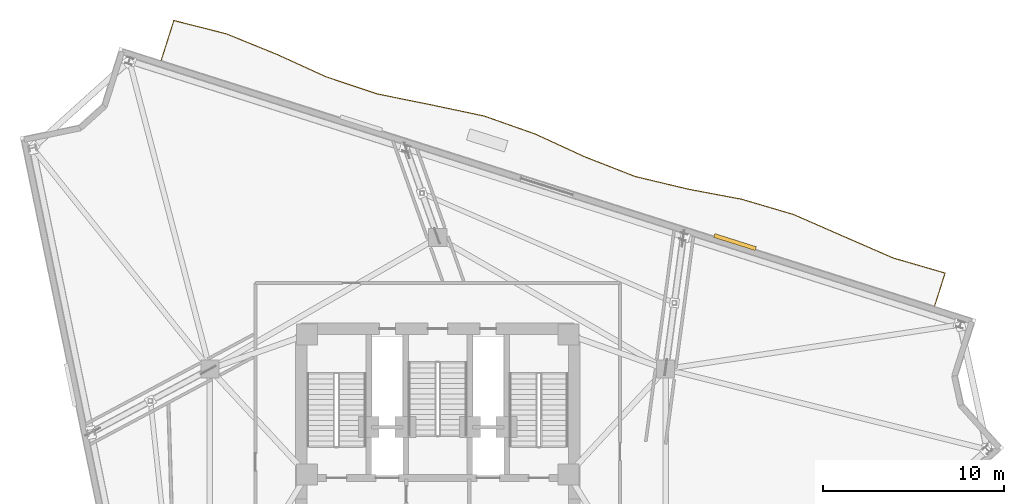
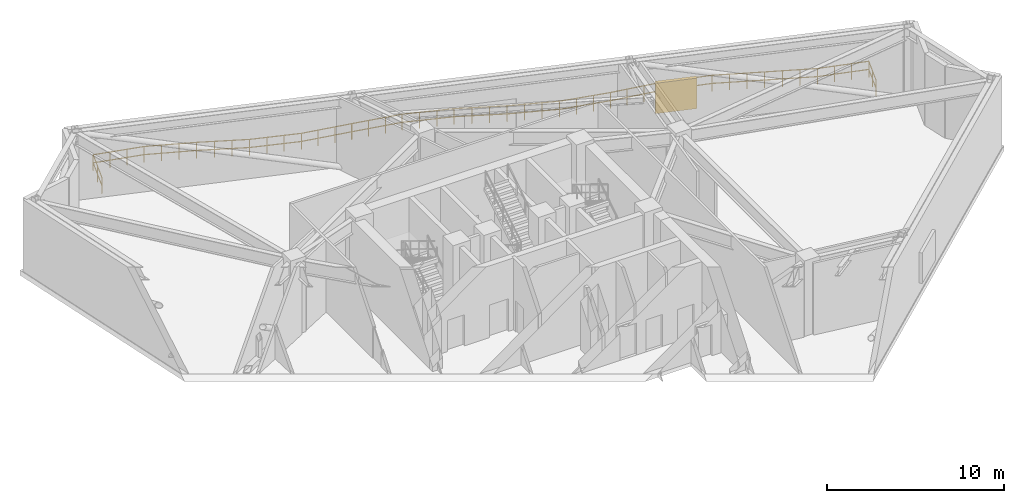
# One storey, part 16 of 16: 1 railing, 1 shading device.
"""IFC4 building model written with IfcOpenShell, lengths in metres."""

from ifc_helpers import new_model, si_unit, direction, frame, origin, origin_2d, place, context, subcontext, project, spatial, rectangle, extrude, material, type_object, element, save


model = new_model("IFC4")

# Units and contexts
model_context = context("Model", 3, precision=1e-05, world=origin(), true_north=direction((0.0, 1.0)))
body_context = subcontext(model_context, "Body", "Model", "MODEL_VIEW")
ifc_project = project(units=[si_unit("LENGTHUNIT", "METRE"), si_unit("AREAUNIT", "SQUARE_METRE"), si_unit("VOLUMEUNIT", "CUBIC_METRE"), si_unit("PLANEANGLEUNIT", "RADIAN"), si_unit("MASSUNIT", "GRAM", prefix="KILO")], contexts=[model_context])

# Site, building, storey
site_placement = place(None, origin())
site = spatial("IfcSite", under=ifc_project, at=site_placement, CompositionType="ELEMENT")
building_placement = place(site_placement, origin())
building = spatial("IfcBuilding", under=site, at=building_placement, Name="Apsidion Concourse Tower", CompositionType="ELEMENT")
storey_placement = place(building_placement, frame((0.0, 0.0, 227.0)))
storey = spatial("IfcBuildingStorey", under=building, at=storey_placement, Name="L53", CompositionType="ELEMENT", Elevation=227.0)

# Railing
ifc_material_1 = material(Name="Brushed stainless steel 316", Category="steel")
railing_type = type_object("IfcRailingType", Name="RL-BAL-1120", PredefinedType="BALUSTRADE", material=ifc_material_1)
railing_placement = place(storey_placement, frame((-15.25, 24.272216796875, 0.0)))
element("IfcRailing", 1, at=railing_placement, inside=storey, type_object=railing_type, Name="L53 Face 3 Spiral Terrace Balustrade", PredefinedType="BALUSTRADE", context=body_context, shape_type="SweptSolid", body=[
    extrude(rectangle(XDim=0.048095703125, YDim=0.048095703125, at=origin_2d()), frame((0.0, 0.0, 1.09619140625), z_axis=(0.302719350295, 0.953079742182, 0.0), x_axis=(-0.953079742182, 0.302719350295, 0.0)), (0.0, 0.0, 1.0), 2.309814453125),
    extrude(rectangle(XDim=0.048095703125, YDim=0.048095703125, at=origin_2d()), frame((0.0, 0.0, 0.5361328125), z_axis=(0.302719350295, 0.953079742182, 0.0), x_axis=(-0.953079742182, 0.302719350295, 0.0)), (0.0, 0.0, 1.0), 2.309814453125),
    extrude(rectangle(XDim=0.048095703125, YDim=0.048095703125, at=origin_2d()), frame((0.69921875, 2.201416015625, 1.09619140625), z_axis=(0.969315172586, -0.2458212688, 0.0), x_axis=(0.2458212688, 0.969315172586, 0.0)), (0.0, 0.0, 1.0), 2.988525390625),
    extrude(rectangle(XDim=0.048095703125, YDim=0.048095703125, at=origin_2d()), frame((0.69921875, 2.201416015625, 0.5361328125), z_axis=(0.969315172586, -0.2458212688, 0.0), x_axis=(0.2458212688, 0.969315172586, 0.0)), (0.0, 0.0, 1.0), 2.988525390625),
    extrude(rectangle(XDim=0.048095703125, YDim=0.048095703125, at=origin_2d()), frame((3.595947265625, 1.466796875, 1.09619140625), z_axis=(0.926397211492, -0.376547748021, 0.0), x_axis=(0.376547748021, 0.926397211492, 0.0)), (0.0, 0.0, 1.0), 2.9921875),
    extrude(rectangle(XDim=0.048095703125, YDim=0.048095703125, at=origin_2d()), frame((3.595947265625, 1.466796875, 0.5361328125), z_axis=(0.926397211492, -0.376547748021, 0.0), x_axis=(0.376547748021, 0.926397211492, 0.0)), (0.0, 0.0, 1.0), 2.9921875),
    extrude(rectangle(XDim=0.048095703125, YDim=0.048095703125, at=origin_2d()), frame((6.367919921875, 0.340087890625, 1.09619140625), z_axis=(0.910087991276, -0.414415067456, 0.0), x_axis=(0.414415067456, 0.910087991276, 0.0)), (0.0, 0.0, 1.0), 3.004638671875),
    extrude(rectangle(XDim=0.048095703125, YDim=0.048095703125, at=origin_2d()), frame((6.367919921875, 0.340087890625, 0.5361328125), z_axis=(0.910087991276, -0.414415067456, 0.0), x_axis=(0.414415067456, 0.910087991276, 0.0)), (0.0, 0.0, 1.0), 3.004638671875),
    extrude(rectangle(XDim=0.048095703125, YDim=0.048095703125, at=origin_2d()), frame((9.102294921875, -0.905029296875, 1.09619140625), z_axis=(0.948445714895, -0.316939625003, 0.0), x_axis=(0.316939625003, 0.948445714895, 0.0)), (0.0, 0.0, 1.0), 2.9833984375),
    extrude(rectangle(XDim=0.048095703125, YDim=0.048095703125, at=origin_2d()), frame((9.102294921875, -0.905029296875, 0.5361328125), z_axis=(0.948445714895, -0.316939625003, 0.0), x_axis=(0.316939625003, 0.948445714895, 0.0)), (0.0, 0.0, 1.0), 2.9833984375),
    extrude(rectangle(XDim=0.048095703125, YDim=0.048095703125, at=origin_2d()), frame((11.931884765625, -1.8505859375, 1.09619140625), z_axis=(0.980225449043, -0.197883978756, 0.0), x_axis=(0.197883978756, 0.980225449043, 0.0)), (0.0, 0.0, 1.0), 3.00048828125),
    extrude(rectangle(XDim=0.048095703125, YDim=0.048095703125, at=origin_2d()), frame((11.931884765625, -1.8505859375, 0.5361328125), z_axis=(0.980225449043, -0.197883978756, 0.0), x_axis=(0.197883978756, 0.980225449043, 0.0)), (0.0, 0.0, 1.0), 3.00048828125),
    extrude(rectangle(XDim=0.048095703125, YDim=0.048095703125, at=origin_2d()), frame((14.873046875, -2.4443359375, 1.09619140625), z_axis=(0.97838615752, -0.206786186127, 0.0), x_axis=(0.206786186127, 0.97838615752, 0.0)), (0.0, 0.0, 1.0), 2.99755859375),
    extrude(rectangle(XDim=0.048095703125, YDim=0.048095703125, at=origin_2d()), frame((14.873046875, -2.4443359375, 0.5361328125), z_axis=(0.97838615752, -0.206786186127, 0.0), x_axis=(0.206786186127, 0.97838615752, 0.0)), (0.0, 0.0, 1.0), 2.99755859375),
    extrude(rectangle(XDim=0.048095703125, YDim=0.048095703125, at=origin_2d()), frame((17.805908203125, -3.064208984375, 1.09619140625), z_axis=(0.943120141613, -0.332452099533, 0.0), x_axis=(0.332452099533, 0.943120141613, 0.0)), (0.0, 0.0, 1.0), 2.984375),
    extrude(rectangle(XDim=0.048095703125, YDim=0.048095703125, at=origin_2d()), frame((17.805908203125, -3.064208984375, 0.5361328125), z_axis=(0.943120141613, -0.332452099533, 0.0), x_axis=(0.332452099533, 0.943120141613, 0.0)), (0.0, 0.0, 1.0), 2.984375),
    extrude(rectangle(XDim=0.048095703125, YDim=0.048095703125, at=origin_2d()), frame((20.62060546875, -4.056396484375, 1.09619140625), z_axis=(0.908614375284, -0.41763610599, 0.0), x_axis=(0.41763610599, 0.908614375284, 0.0)), (0.0, 0.0, 1.0), 3.005859375),
    extrude(rectangle(XDim=0.048095703125, YDim=0.048095703125, at=origin_2d()), frame((20.62060546875, -4.056396484375, 0.5361328125), z_axis=(0.908614375284, -0.41763610599, 0.0), x_axis=(0.41763610599, 0.908614375284, 0.0)), (0.0, 0.0, 1.0), 3.005859375),
    extrude(rectangle(XDim=0.048095703125, YDim=0.048095703125, at=origin_2d()), frame((23.351806640625, -5.311767578125, 1.09619140625), z_axis=(0.931431831118, -0.363915847388, 0.0), x_axis=(0.363915847388, 0.931431831118, 0.0)), (0.0, 0.0, 1.0), 2.989501953125),
    extrude(rectangle(XDim=0.048095703125, YDim=0.048095703125, at=origin_2d()), frame((23.351806640625, -5.311767578125, 0.5361328125), z_axis=(0.931431831118, -0.363915847388, 0.0), x_axis=(0.363915847388, 0.931431831118, 0.0)), (0.0, 0.0, 1.0), 2.989501953125),
    extrude(rectangle(XDim=0.048095703125, YDim=0.048095703125, at=origin_2d()), frame((26.13623046875, -6.399658203125, 1.09619140625), z_axis=(0.972679949863, -0.232150199514, 0.0), x_axis=(0.232150199514, 0.972679949863, 0.0)), (0.0, 0.0, 1.0), 2.990966796875),
    extrude(rectangle(XDim=0.048095703125, YDim=0.048095703125, at=origin_2d()), frame((26.13623046875, -6.399658203125, 0.5361328125), z_axis=(0.972679949863, -0.232150199514, 0.0), x_axis=(0.232150199514, 0.972679949863, 0.0)), (0.0, 0.0, 1.0), 2.990966796875),
    extrude(rectangle(XDim=0.048095703125, YDim=0.048095703125, at=origin_2d()), frame((29.04541015625, -7.093994140625, 1.09619140625), z_axis=(0.982742268554, -0.184980089733, 0.0), x_axis=(0.184980089733, 0.982742268554, 0.0)), (0.0, 0.0, 1.0), 3.005126953125),
    extrude(rectangle(XDim=0.048095703125, YDim=0.048095703125, at=origin_2d()), frame((29.04541015625, -7.093994140625, 0.5361328125), z_axis=(0.982742268554, -0.184980089733, 0.0), x_axis=(0.184980089733, 0.982742268554, 0.0)), (0.0, 0.0, 1.0), 3.005126953125),
    extrude(rectangle(XDim=0.048095703125, YDim=0.048095703125, at=origin_2d()), frame((31.998779296875, -7.64990234375, 1.09619140625), z_axis=(0.959377227, -0.282126454473, 0.0), x_axis=(0.282126454473, 0.959377227, 0.0)), (0.0, 0.0, 1.0), 2.983642578125),
    extrude(rectangle(XDim=0.048095703125, YDim=0.048095703125, at=origin_2d()), frame((31.998779296875, -7.64990234375, 0.5361328125), z_axis=(0.959377227, -0.282126454473, 0.0), x_axis=(0.282126454473, 0.959377227, 0.0)), (0.0, 0.0, 1.0), 2.983642578125),
    extrude(rectangle(XDim=0.048095703125, YDim=0.048095703125, at=origin_2d()), frame((34.861328125, -8.49169921875, 1.09619140625), z_axis=(0.916142390258, -0.400852991473, 0.0), x_axis=(0.400852991473, 0.916142390258, 0.0)), (0.0, 0.0, 1.0), 2.99951171875),
    extrude(rectangle(XDim=0.048095703125, YDim=0.048095703125, at=origin_2d()), frame((34.861328125, -8.49169921875, 0.5361328125), z_axis=(0.916142390258, -0.400852991473, 0.0), x_axis=(0.400852991473, 0.916142390258, 0.0)), (0.0, 0.0, 1.0), 2.99951171875),
    extrude(rectangle(XDim=0.048095703125, YDim=0.048095703125, at=origin_2d()), frame((37.609375, -9.694091796875, 1.09619140625), z_axis=(0.916877093839, -0.399169631601, 0.0), x_axis=(0.399169631601, 0.916877093839, 0.0)), (0.0, 0.0, 1.0), 2.998779296875),
    extrude(rectangle(XDim=0.048095703125, YDim=0.048095703125, at=origin_2d()), frame((37.609375, -9.694091796875, 0.5361328125), z_axis=(0.916877093839, -0.399169631601, 0.0), x_axis=(0.399169631601, 0.916877093839, 0.0)), (0.0, 0.0, 1.0), 2.998779296875),
    extrude(rectangle(XDim=0.048095703125, YDim=0.048095703125, at=origin_2d()), frame((40.35888671875, -10.89111328125, 1.09619140625), z_axis=(0.960298162237, -0.278975697157, 0.0), x_axis=(0.278975697157, 0.960298162237, 0.0)), (0.0, 0.0, 1.0), 2.984130859375),
    extrude(rectangle(XDim=0.048095703125, YDim=0.048095703125, at=origin_2d()), frame((40.35888671875, -10.89111328125, 0.5361328125), z_axis=(0.960298162237, -0.278975697157, 0.0), x_axis=(0.278975697157, 0.960298162237, 0.0)), (0.0, 0.0, 1.0), 2.984130859375),
    extrude(rectangle(XDim=0.048095703125, YDim=0.048095703125, at=origin_2d()), frame((43.224609375, -11.7236328125, 1.09619140625), z_axis=(-0.302781769036, -0.953059914349, 0.0), x_axis=(0.953059914349, -0.302781769036, 0.0)), (0.0, 0.0, 1.0), 1.910888671875),
    extrude(rectangle(XDim=0.048095703125, YDim=0.048095703125, at=origin_2d()), frame((43.224609375, -11.7236328125, 0.5361328125), z_axis=(-0.302781769036, -0.953059914349, 0.0), x_axis=(0.953059914349, -0.302781769036, 0.0)), (0.0, 0.0, 1.0), 1.910888671875),
    extrude(rectangle(XDim=0.0419921875, YDim=0.0419921875, at=origin_2d()), origin(), (0.0, 0.0, 1.0), 1.072021484375),
    extrude(rectangle(XDim=0.0419921875, YDim=0.0419921875, at=origin_2d()), frame((0.349609375, 1.1005859375, 0.0)), (0.0, 0.0, 1.0), 1.072021484375),
    extrude(rectangle(XDim=0.0419921875, YDim=0.0419921875, at=origin_2d()), frame((0.69921875, 2.201416015625, 0.0)), (0.0, 0.0, 1.0), 1.072021484375),
    extrude(rectangle(XDim=0.0419921875, YDim=0.0419921875, at=origin_2d()), frame((1.664794921875, 1.95654296875, 0.0)), (0.0, 0.0, 1.0), 1.072021484375),
    extrude(rectangle(XDim=0.0419921875, YDim=0.0419921875, at=origin_2d()), frame((2.63037109375, 1.711669921875, 0.0)), (0.0, 0.0, 1.0), 1.072021484375),
    extrude(rectangle(XDim=0.0419921875, YDim=0.0419921875, at=origin_2d()), frame((3.595947265625, 1.466796875, 0.0)), (0.0, 0.0, 1.0), 1.072021484375),
    extrude(rectangle(XDim=0.0419921875, YDim=0.0419921875, at=origin_2d()), frame((4.52001953125, 1.09130859375, 0.0)), (0.0, 0.0, 1.0), 1.072021484375),
    extrude(rectangle(XDim=0.0419921875, YDim=0.0419921875, at=origin_2d()), frame((5.44384765625, 0.715576171875, 0.0)), (0.0, 0.0, 1.0), 1.072021484375),
    extrude(rectangle(XDim=0.0419921875, YDim=0.0419921875, at=origin_2d()), frame((6.367919921875, 0.340087890625, 0.0)), (0.0, 0.0, 1.0), 1.072021484375),
    extrude(rectangle(XDim=0.0419921875, YDim=0.0419921875, at=origin_2d()), frame((7.279296875, -0.074951171875, 0.0)), (0.0, 0.0, 1.0), 1.072021484375),
    extrude(rectangle(XDim=0.0419921875, YDim=0.0419921875, at=origin_2d()), frame((8.19091796875, -0.489990234375, 0.0)), (0.0, 0.0, 1.0), 1.072021484375),
    extrude(rectangle(XDim=0.0419921875, YDim=0.0419921875, at=origin_2d()), frame((9.102294921875, -0.905029296875, 0.0)), (0.0, 0.0, 1.0), 1.072021484375),
    extrude(rectangle(XDim=0.0419921875, YDim=0.0419921875, at=origin_2d()), frame((10.04541015625, -1.22021484375, 0.0)), (0.0, 0.0, 1.0), 1.072021484375),
    extrude(rectangle(XDim=0.0419921875, YDim=0.0419921875, at=origin_2d()), frame((10.98876953125, -1.535400390625, 0.0)), (0.0, 0.0, 1.0), 1.072021484375),
    extrude(rectangle(XDim=0.0419921875, YDim=0.0419921875, at=origin_2d()), frame((11.931884765625, -1.8505859375, 0.0)), (0.0, 0.0, 1.0), 1.072021484375),
    extrude(rectangle(XDim=0.0419921875, YDim=0.0419921875, at=origin_2d()), frame((12.912353515625, -2.048583984375, 0.0)), (0.0, 0.0, 1.0), 1.072021484375),
    extrude(rectangle(XDim=0.0419921875, YDim=0.0419921875, at=origin_2d()), frame((13.892578125, -2.246337890625, 0.0)), (0.0, 0.0, 1.0), 1.072021484375),
    extrude(rectangle(XDim=0.0419921875, YDim=0.0419921875, at=origin_2d()), frame((14.873046875, -2.4443359375, 0.0)), (0.0, 0.0, 1.0), 1.072021484375),
    extrude(rectangle(XDim=0.0419921875, YDim=0.0419921875, at=origin_2d()), frame((15.8505859375, -2.65087890625, 0.0)), (0.0, 0.0, 1.0), 1.072021484375),
    extrude(rectangle(XDim=0.0419921875, YDim=0.0419921875, at=origin_2d()), frame((16.828369140625, -2.857666015625, 0.0)), (0.0, 0.0, 1.0), 1.072021484375),
    extrude(rectangle(XDim=0.0419921875, YDim=0.0419921875, at=origin_2d()), frame((17.805908203125, -3.064208984375, 0.0)), (0.0, 0.0, 1.0), 1.072021484375),
    extrude(rectangle(XDim=0.0419921875, YDim=0.0419921875, at=origin_2d()), frame((18.744140625, -3.39501953125, 0.0)), (0.0, 0.0, 1.0), 1.072021484375),
    extrude(rectangle(XDim=0.0419921875, YDim=0.0419921875, at=origin_2d()), frame((19.682373046875, -3.7255859375, 0.0)), (0.0, 0.0, 1.0), 1.072021484375),
    extrude(rectangle(XDim=0.0419921875, YDim=0.0419921875, at=origin_2d()), frame((20.62060546875, -4.056396484375, 0.0)), (0.0, 0.0, 1.0), 1.072021484375),
    extrude(rectangle(XDim=0.0419921875, YDim=0.0419921875, at=origin_2d()), frame((21.531005859375, -4.474853515625, 0.0)), (0.0, 0.0, 1.0), 1.072021484375),
    extrude(rectangle(XDim=0.0419921875, YDim=0.0419921875, at=origin_2d()), frame((22.44140625, -4.893310546875, 0.0)), (0.0, 0.0, 1.0), 1.072021484375),
    extrude(rectangle(XDim=0.0419921875, YDim=0.0419921875, at=origin_2d()), frame((23.351806640625, -5.311767578125, 0.0)), (0.0, 0.0, 1.0), 1.072021484375),
    extrude(rectangle(XDim=0.0419921875, YDim=0.0419921875, at=origin_2d()), frame((24.280029296875, -5.67431640625, 0.0)), (0.0, 0.0, 1.0), 1.072021484375),
    extrude(rectangle(XDim=0.0419921875, YDim=0.0419921875, at=origin_2d()), frame((25.2080078125, -6.037109375, 0.0)), (0.0, 0.0, 1.0), 1.072021484375),
    extrude(rectangle(XDim=0.0419921875, YDim=0.0419921875, at=origin_2d()), frame((26.13623046875, -6.399658203125, 0.0)), (0.0, 0.0, 1.0), 1.072021484375),
    extrude(rectangle(XDim=0.0419921875, YDim=0.0419921875, at=origin_2d()), frame((27.10595703125, -6.631103515625, 0.0)), (0.0, 0.0, 1.0), 1.072021484375),
    extrude(rectangle(XDim=0.0419921875, YDim=0.0419921875, at=origin_2d()), frame((28.07568359375, -6.862548828125, 0.0)), (0.0, 0.0, 1.0), 1.072021484375),
    extrude(rectangle(XDim=0.0419921875, YDim=0.0419921875, at=origin_2d()), frame((29.04541015625, -7.093994140625, 0.0)), (0.0, 0.0, 1.0), 1.072021484375),
    extrude(rectangle(XDim=0.0419921875, YDim=0.0419921875, at=origin_2d()), frame((30.02978515625, -7.279296875, 0.0)), (0.0, 0.0, 1.0), 1.072021484375),
    extrude(rectangle(XDim=0.0419921875, YDim=0.0419921875, at=origin_2d()), frame((31.014404296875, -7.464599609375, 0.0)), (0.0, 0.0, 1.0), 1.072021484375),
    extrude(rectangle(XDim=0.0419921875, YDim=0.0419921875, at=origin_2d()), frame((31.998779296875, -7.64990234375, 0.0)), (0.0, 0.0, 1.0), 1.072021484375),
    extrude(rectangle(XDim=0.0419921875, YDim=0.0419921875, at=origin_2d()), frame((32.952880859375, -7.930419921875, 0.0)), (0.0, 0.0, 1.0), 1.072021484375),
    extrude(rectangle(XDim=0.0419921875, YDim=0.0419921875, at=origin_2d()), frame((33.9072265625, -8.211181640625, 0.0)), (0.0, 0.0, 1.0), 1.072021484375),
    extrude(rectangle(XDim=0.0419921875, YDim=0.0419921875, at=origin_2d()), frame((34.861328125, -8.49169921875, 0.0)), (0.0, 0.0, 1.0), 1.072021484375),
    extrude(rectangle(XDim=0.0419921875, YDim=0.0419921875, at=origin_2d()), frame((35.77734375, -8.892578125, 0.0)), (0.0, 0.0, 1.0), 1.072021484375),
    extrude(rectangle(XDim=0.0419921875, YDim=0.0419921875, at=origin_2d()), frame((36.693359375, -9.293212890625, 0.0)), (0.0, 0.0, 1.0), 1.072021484375),
    extrude(rectangle(XDim=0.0419921875, YDim=0.0419921875, at=origin_2d()), frame((37.609375, -9.694091796875, 0.0)), (0.0, 0.0, 1.0), 1.072021484375),
    extrude(rectangle(XDim=0.0419921875, YDim=0.0419921875, at=origin_2d()), frame((38.52587890625, -10.093017578125, 0.0)), (0.0, 0.0, 1.0), 1.072021484375),
    extrude(rectangle(XDim=0.0419921875, YDim=0.0419921875, at=origin_2d()), frame((39.4423828125, -10.4921875, 0.0)), (0.0, 0.0, 1.0), 1.072021484375),
    extrude(rectangle(XDim=0.0419921875, YDim=0.0419921875, at=origin_2d()), frame((40.35888671875, -10.89111328125, 0.0)), (0.0, 0.0, 1.0), 1.072021484375),
    extrude(rectangle(XDim=0.0419921875, YDim=0.0419921875, at=origin_2d()), frame((41.314208984375, -11.168701171875, 0.0)), (0.0, 0.0, 1.0), 1.072021484375),
    extrude(rectangle(XDim=0.0419921875, YDim=0.0419921875, at=origin_2d()), frame((42.269287109375, -11.446044921875, 0.0)), (0.0, 0.0, 1.0), 1.072021484375),
    extrude(rectangle(XDim=0.0419921875, YDim=0.0419921875, at=origin_2d()), frame((43.224609375, -11.7236328125, 0.0)), (0.0, 0.0, 1.0), 1.072021484375),
    extrude(rectangle(XDim=0.0419921875, YDim=0.0419921875, at=origin_2d()), frame((42.935302734375, -12.63427734375, 0.0)), (0.0, 0.0, 1.0), 1.072021484375),
    extrude(rectangle(XDim=0.0419921875, YDim=0.0419921875, at=origin_2d()), frame((42.64599609375, -13.544921875, 0.0)), (0.0, 0.0, 1.0), 1.072021484375),
])

# Shading device
ifc_material_2 = material(Name="Anodised aluminium EN AW-6063 T6", Category="aluminium")
shading_device_type = type_object("IfcShadingDeviceType", Name="SH-LOUVRE-AL", PredefinedType="JALOUSIE", material=ifc_material_2)
shading_device_placement = place(storey_placement, frame((16.38671875, 14.255615234375, 0.75), z_axis=(0.0, 0.0, 1.0), x_axis=(0.95308506272, -0.302702598633, 0.0)))
element("IfcShadingDevice", 2, at=shading_device_placement, inside=storey, type_object=shading_device_type, Name="L53 Plant Acoustic Louvre Bank 1-2", PredefinedType="JALOUSIE", context=body_context, shape_type="SweptSolid", body=[
    extrude(rectangle(XDim=2.39990234375, YDim=0.219970703125, at=origin_2d()), origin(), (0.0, 0.0, 1.0), 2.10009765625),
])

save(model, "model.ifc")
